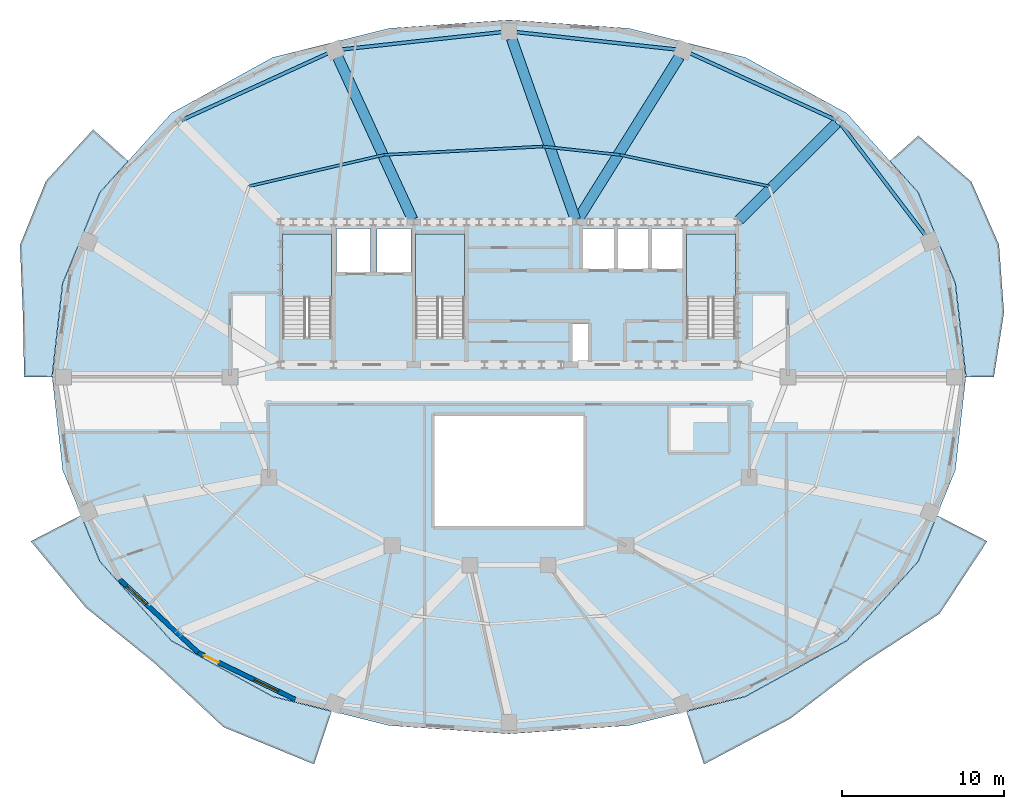
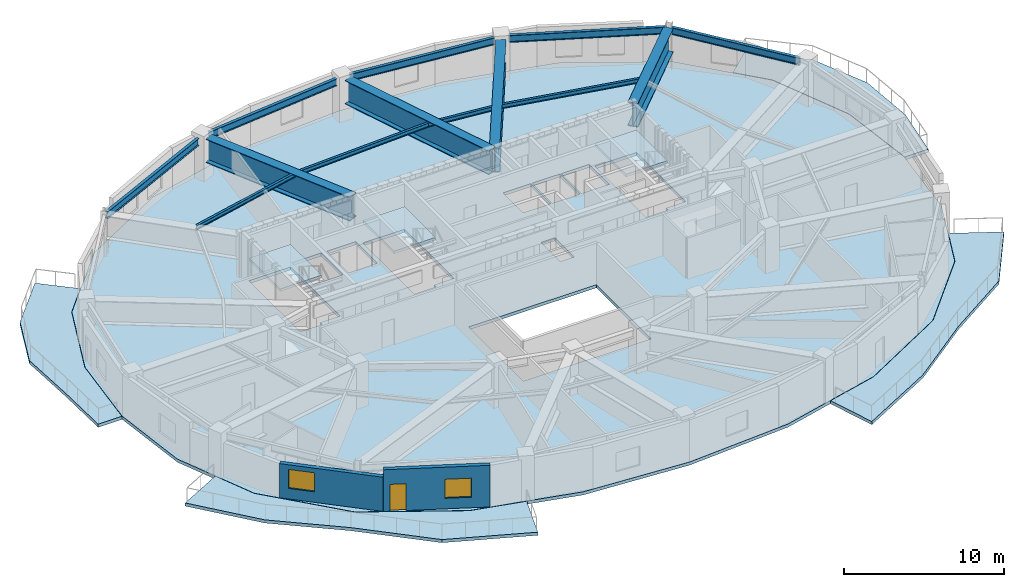
# One storey, part 3 of 12: 13 beams, 8 slabs, 2 walls, 2 windows, 1 door, 3 openings, 3 elements without a shape of their own.
"""IFC4 building model written with IfcOpenShell, lengths in metres."""

from ifc_helpers import new_model, si_unit, direction, frame, frame_2d, origin, origin_2d, place, context, subcontext, project, spatial, polyline, rectangle, i_section, outline, extrude, material, layer, layer_set, material_profile, profile_set, type_object, element, fill, aggregate, save


model = new_model("IFC4")

# Units and contexts
model_context = context("Model", 3, precision=1e-05, world=origin(), true_north=direction((0.0, 1.0)))
body_context = subcontext(model_context, "Body", "Model", "MODEL_VIEW")
ifc_project = project(units=[si_unit("LENGTHUNIT", "METRE"), si_unit("AREAUNIT", "SQUARE_METRE"), si_unit("VOLUMEUNIT", "CUBIC_METRE"), si_unit("PLANEANGLEUNIT", "RADIAN"), si_unit("MASSUNIT", "GRAM", prefix="KILO")], contexts=[model_context])

# Site, building, storey
site_placement = place(None, origin())
site = spatial("IfcSite", under=ifc_project, at=site_placement, CompositionType="ELEMENT")
building_placement = place(site_placement, origin())
building = spatial("IfcBuilding", under=site, at=building_placement, Name="Haldorwick Loom Tower", CompositionType="ELEMENT")
storey_placement = place(building_placement, frame((0.0, 0.0, 237.449951171875)))
storey = spatial("IfcBuildingStorey", under=building, at=storey_placement, Name="L64", CompositionType="ELEMENT", Elevation=237.449951171875)

# Beams
ifc_material_1 = material(Name="Steel CSA G40.21 350W", Category="steel")
ifc_material_profile_1 = material_profile(ifc_material_1, i_section(OverallWidth=0.166015625, OverallDepth=0.31298828125, WebThickness=0.006591796875, FlangeThickness=0.01123046875, at=origin_2d()), Name="W310X45", Category="steel")
ifc_profile_set_1 = profile_set([ifc_material_profile_1], Name="Steel CSA G40.21 350W")
beam_type_1 = type_object("IfcBeamType", Name="STR-BM-J310", PredefinedType="JOIST", material=ifc_profile_set_1)
beam_1_placement = place(storey_placement, frame((52.03759765625, 37.754150390625, 3.013427734375), z_axis=(-0.978553918403, 0.205990846344, 0.0), x_axis=(-0.205990846344, -0.978553918403, 0.0)))
element("IfcBeam", 1, at=beam_1_placement, inside=storey, type_object=beam_type_1, Name="L64 Mid-Bay Secondary Joist 3", PredefinedType="JOIST", context=body_context, shape_type="SweptSolid", body=[
    extrude(i_section(OverallWidth=0.166015625, OverallDepth=0.31298828125, WebThickness=0.006591796875, FlangeThickness=0.01123046875, at=origin_2d()), origin(), (0.0, 0.0, 1.0), 9.39990234375),
])
beam_2_placement = place(storey_placement, frame((42.83935546875, 39.6904296875, 3.013427734375), z_axis=(-0.994216460534, 0.10739473732, 0.0), x_axis=(-0.10739473732, -0.994216460534, 0.0)))
element("IfcBeam", 2, at=beam_2_placement, inside=storey, type_object=beam_type_1, Name="L64 Mid-Bay Secondary Joist 4", PredefinedType="JOIST", context=body_context, shape_type="SweptSolid", body=[
    extrude(i_section(OverallWidth=0.166015625, OverallDepth=0.31298828125, WebThickness=0.006591796875, FlangeThickness=0.01123046875, at=origin_2d()), origin(), (0.0, 0.0, 1.0), 4.792236328125),
])
beam_3_placement = place(storey_placement, frame((38.074951171875, 40.205078125, 3.013427734375), z_axis=(-0.998616726661, -0.052579779693, 0.0), x_axis=(0.052579779693, -0.998616726661, 0.0)))
element("IfcBeam", 3, at=beam_3_placement, inside=storey, type_object=beam_type_1, Name="L64 Mid-Bay Secondary Joist 5", PredefinedType="JOIST", context=body_context, shape_type="SweptSolid", body=[
    extrude(i_section(OverallWidth=0.166015625, OverallDepth=0.31298828125, WebThickness=0.006591796875, FlangeThickness=0.01123046875, at=origin_2d()), origin(), (0.0, 0.0, 1.0), 9.787841796875),
])
beam_4_placement = place(storey_placement, frame((28.300537109375, 39.6904296875, 3.013427734375), z_axis=(-0.974080706337, -0.226200746112, 0.0), x_axis=(0.226200746112, -0.974080706337, 0.0)))
element("IfcBeam", 4, at=beam_4_placement, inside=storey, type_object=beam_type_1, Name="L64 Mid-Bay Secondary Joist 6", PredefinedType="JOIST", context=body_context, shape_type="SweptSolid", body=[
    extrude(i_section(OverallWidth=0.166015625, OverallDepth=0.31298828125, WebThickness=0.006591796875, FlangeThickness=0.01123046875, at=origin_2d()), origin(), (0.0, 0.0, 1.0), 8.56005859375),
])
ifc_material_profile_2 = material_profile(ifc_material_1, i_section(OverallWidth=0.2119140625, OverallDepth=0.5439453125, WebThickness=0.01318359375, FlangeThickness=0.021240234375, at=origin_2d()), Name="W530X123", Category="steel")
ifc_profile_set_2 = profile_set([ifc_material_profile_2], Name="Steel CSA G40.21 350W")
beam_type_2 = type_object("IfcBeamType", Name="STR-BM-SP530", PredefinedType="SPANDREL", material=ifc_profile_set_2)
beam_5_placement = place(storey_placement, frame((61.673583984375, 34.720703125, 2.89794921875), z_axis=(-0.605253156055, 0.796033050247, 0.0), x_axis=(-0.796033050247, -0.605253156055, 0.0)))
element("IfcBeam", 5, at=beam_5_placement, inside=storey, type_object=beam_type_2, Name="L64 Perimeter Spandrel 2", PredefinedType="SPANDREL", context=body_context, shape_type="SweptSolid", body=[
    extrude(i_section(OverallWidth=0.2119140625, OverallDepth=0.5439453125, WebThickness=0.01318359375, FlangeThickness=0.021240234375, at=origin_2d()), origin(), (0.0, 0.0, 1.0), 8.671142578125),
])
beam_6_placement = place(storey_placement, frame((56.15576171875, 41.839111328125, 2.89794921875), z_axis=(-0.909350907904, 0.41602995841, 0.0), x_axis=(-0.41602995841, -0.909350907904, 0.0)))
element("IfcBeam", 6, at=beam_6_placement, inside=storey, type_object=beam_type_2, Name="L64 Perimeter Spandrel 3", PredefinedType="SPANDREL", context=body_context, shape_type="SweptSolid", body=[
    extrude(i_section(OverallWidth=0.2119140625, OverallDepth=0.5439453125, WebThickness=0.01318359375, FlangeThickness=0.021240234375, at=origin_2d()), origin(), (0.0, 0.0, 1.0), 9.86474609375),
])
for number, where, z_axis, x_axis, name in (
    (7, (46.28125, 46.191650390625, 2.89794921875), (-0.994187378218, 0.107663628917, 0.0), (-0.107663628917, -0.994187378218, 0.0), "L64 Perimeter Spandrel 4"),
    (8, (35.52783203125, 47.25390625, 2.89794921875), (-0.994187378218, -0.107663628917, 0.0), (0.107663628917, -0.994187378218, 0.0), "L64 Perimeter Spandrel 5"),
):
    element("IfcBeam", number, at=place(storey_placement, frame(where, z_axis=z_axis, x_axis=x_axis)), inside=storey, type_object=beam_type_2, Name=name, PredefinedType="SPANDREL", context=body_context, shape_type="SweptSolid", body=[
        extrude(i_section(OverallWidth=0.2119140625, OverallDepth=0.5439453125, WebThickness=0.01318359375, FlangeThickness=0.021240234375, at=origin_2d()), origin(), (0.0, 0.0, 1.0), 9.866455078125),
    ])
beam_7_placement = place(storey_placement, frame((24.814697265625, 45.943115234375, 2.89794921875), z_axis=(-0.909350907904, -0.41602995841, 0.0), x_axis=(0.41602995841, -0.909350907904, 0.0)))
element("IfcBeam", 9, at=beam_7_placement, inside=storey, type_object=beam_type_2, Name="L64 Perimeter Spandrel 6", PredefinedType="SPANDREL", context=body_context, shape_type="SweptSolid", body=[
    extrude(i_section(OverallWidth=0.2119140625, OverallDepth=0.5439453125, WebThickness=0.01318359375, FlangeThickness=0.021240234375, at=origin_2d()), origin(), (0.0, 0.0, 1.0), 9.86474609375),
])
ifc_material_2 = material(Name="Steel CSA G40.21 350WT", Category="steel")
ifc_material_profile_3 = material_profile(ifc_material_2, i_section(OverallWidth=0.64990234375, OverallDepth=1.800048828125, WebThickness=0.02587890625, FlangeThickness=0.048095703125, at=origin_2d()), Name="WWF1800X650", Category="steel")
ifc_profile_set_3 = profile_set([ifc_material_profile_3], Name="Steel CSA G40.21 350WT")
beam_type_3 = type_object("IfcBeamType", Name="STR-BM-TG1800", PredefinedType="BEAM", material=ifc_profile_set_3)
beam_8_placement = place(storey_placement, frame((50.1962890625, 35.675537109375, 2.27001953125), z_axis=(0.708952100153, 0.70525663392, 0.0), x_axis=(-0.70525663392, 0.708952100153, 0.0)))
element("IfcBeam", 10, at=beam_8_placement, inside=storey, type_object=beam_type_3, Name="L64 Setback Inner Transfer Girder 3", PredefinedType="BEAM", context=body_context, shape_type="SweptSolid", body=[
    extrude(i_section(OverallWidth=0.64990234375, OverallDepth=1.800048828125, WebThickness=0.02587890625, FlangeThickness=0.048095703125, at=origin_2d()), origin(), (0.0, 0.0, 1.0), 8.456298828125),
])
beam_9_placement = place(storey_placement, frame((40.244140625, 35.700927734375, 2.27001953125), z_axis=(0.529096919652, 0.848561400027, 0.0), x_axis=(-0.848561400027, 0.529096919652, 0.0)))
element("IfcBeam", 11, at=beam_9_placement, inside=storey, type_object=beam_type_3, Name="L64 Setback Inner Transfer Girder 4", PredefinedType="BEAM", context=body_context, shape_type="SweptSolid", body=[
    extrude(i_section(OverallWidth=0.64990234375, OverallDepth=1.800048828125, WebThickness=0.02587890625, FlangeThickness=0.048095703125, at=origin_2d()), origin(), (0.0, 0.0, 1.0), 11.827880859375),
])
beam_10_placement = place(storey_placement, frame((40.0908203125, 35.7177734375, 2.27001953125), z_axis=(-0.332900112782, 0.942962096221, 0.0), x_axis=(-0.942962096221, -0.332900112782, 0.0)))
element("IfcBeam", 12, at=beam_10_placement, inside=storey, type_object=beam_type_3, Name="L64 Setback Inner Transfer Girder 5", PredefinedType="BEAM", context=body_context, shape_type="SweptSolid", body=[
    extrude(i_section(OverallWidth=0.64990234375, OverallDepth=1.800048828125, WebThickness=0.02587890625, FlangeThickness=0.048095703125, at=origin_2d()), origin(), (0.0, 0.0, 1.0), 11.813232421875),
])
beam_11_placement = place(storey_placement, frame((30.055419921875, 35.711669921875, 2.27001953125), z_axis=(-0.418729078283, 0.908111204094, 0.0), x_axis=(-0.908111204094, -0.418729078283, 0.0)))
element("IfcBeam", 13, at=beam_11_placement, inside=storey, type_object=beam_type_3, Name="L64 Setback Inner Transfer Girder 6", PredefinedType="BEAM", context=body_context, shape_type="SweptSolid", body=[
    extrude(i_section(OverallWidth=0.64990234375, OverallDepth=1.800048828125, WebThickness=0.02587890625, FlangeThickness=0.048095703125, at=origin_2d()), origin(), (0.0, 0.0, 1.0), 11.00927734375),
])

# Slabs
ifc_material_3 = material(Name="Concrete C40 (40 MPa)", Category="concrete")
ifc_layer_1 = layer(ifc_material_3, 0.239990234375, Name="Concrete C40 (40 MPa)", Category="concrete")
ifc_layer_set_1 = layer_set([ifc_layer_1], Name="Concrete C40 (40 MPa)")
slab_type_1 = type_object("IfcSlabType", Name="STR-SLB-BAL240", PredefinedType="FLOOR", material=ifc_layer_set_1)
slab_1_placement = place(storey_placement, frame((0.0, 0.0, -0.239990234375)))
element("IfcSlab", 14, at=slab_1_placement, inside=storey, type_object=slab_type_1, Name="L64 Sinusoidal Balcony Terrace BAL_SE", PredefinedType="FLOOR", context=body_context, shape_type="SweptSolid", body=[
    extrude(outline(polyline([(62.391845703125, 17.46142578125), (61.229736328125, 14.62060546875), (61.229248046875, 14.619384765625), (61.228515625, 14.6181640625), (61.227783203125, 14.6171875), (61.22705078125, 14.6162109375), (56.82373046875, 9.72998046875), (56.82275390625, 9.72900390625), (56.8212890625, 9.727783203125), (56.81982421875, 9.72705078125), (50.565673828125, 6.287109375), (50.564453125, 6.286376953125), (50.563232421875, 6.285888671875), (50.56201171875, 6.285400390625), (46.934326171875, 5.379638671875), (48.02197265625, 2.12060546875), (53.33056640625, 4.9296875), (57.87548828125, 8.379638671875), (62.54052734375, 11.405029296875), (65.47900390625, 15.8671875), (62.391845703125, 17.46142578125)])), origin(), (0.0, 0.0, 1.0), 0.239990234375),
])
slab_2_placement = place(storey_placement, frame((0.0, 0.0, -0.239990234375)))
element("IfcSlab", 15, at=slab_2_placement, inside=storey, type_object=slab_type_1, Name="L64 Sinusoidal Balcony Terrace BAL_SW", PredefinedType="FLOOR", context=body_context, shape_type="SweptSolid", body=[
    extrude(outline(polyline([(25.065673828125, 5.379638671875), (21.43798828125, 6.285400390625), (21.436767578125, 6.285888671875), (21.435546875, 6.286376953125), (21.434326171875, 6.287109375), (15.18017578125, 9.72705078125), (15.1787109375, 9.727783203125), (15.17724609375, 9.72900390625), (15.17626953125, 9.72998046875), (10.77294921875, 14.6162109375), (10.772216796875, 14.6171875), (10.771484375, 14.6181640625), (10.770751953125, 14.619384765625), (10.770263671875, 14.62060546875), (9.608154296875, 17.46142578125), (6.52099609375, 15.8671875), (9.905517578125, 11.78662109375), (14.12451171875, 8.379638671875), (18.397705078125, 4.4091796875), (23.97802734375, 2.12060546875), (25.065673828125, 5.379638671875)])), origin(), (0.0, 0.0, 1.0), 0.239990234375),
])
slab_3_placement = place(storey_placement, frame((0.0, 0.0, -0.239990234375)))
element("IfcSlab", 16, at=slab_3_placement, inside=storey, type_object=slab_type_1, Name="L64 Sinusoidal Balcony Terrace BAL_WNW", PredefinedType="FLOOR", context=body_context, shape_type="SweptSolid", body=[
    extrude(outline(polyline([(7.818603515625, 26.0), (7.818603515625, 26.001708984375), (8.472412109375, 31.760986328125), (8.47265625, 31.762451171875), (8.472900390625, 31.763916015625), (8.473388671875, 31.76513671875), (10.770263671875, 37.37939453125), (10.770751953125, 37.380615234375), (10.771484375, 37.3818359375), (10.772216796875, 37.3828125), (10.77294921875, 37.3837890625), (12.512939453125, 39.314697265625), (10.359619140625, 41.251708984375), (7.4423828125, 38.0595703125), (5.851806640625, 34.1298828125), (6.030517578125, 29.86865234375), (6.107177734375, 26.0), (7.818603515625, 26.0)])), origin(), (0.0, 0.0, 1.0), 0.239990234375),
])
slab_4_placement = place(storey_placement, frame((0.0, 0.0, -0.239990234375)))
element("IfcSlab", 17, at=slab_4_placement, inside=storey, type_object=slab_type_1, Name="L64 Sinusoidal Balcony Terrace BAL_ENE", PredefinedType="FLOOR", context=body_context, shape_type="SweptSolid", body=[
    extrude(outline(polyline([(59.4873046875, 39.314208984375), (61.22705078125, 37.3837890625), (61.227783203125, 37.3828125), (61.228515625, 37.3818359375), (61.229248046875, 37.380615234375), (61.229736328125, 37.37939453125), (63.526611328125, 31.76513671875), (63.527099609375, 31.763916015625), (63.52734375, 31.762451171875), (63.527587890625, 31.760986328125), (64.181396484375, 26.001708984375), (64.181396484375, 26.0), (65.892822265625, 26.0), (66.5166015625, 29.979736328125), (66.205078125, 34.153564453125), (64.506103515625, 38.02587890625), (61.2314453125, 40.871337890625), (59.4873046875, 39.314208984375)])), origin(), (0.0, 0.0, 1.0), 0.239990234375),
])

# Stair, slab
stair_type = type_object("IfcStairType", Name="STR-STR-CORE", PredefinedType="HALF_TURN_STAIR", material=ifc_material_3)
stair_1_placement = place(storey_placement, origin())
stair_1 = element("IfcStair", 18, at=stair_1_placement, inside=storey, type_object=stair_type, Name="L64 Exit Stair ST-01", PredefinedType="HALF_TURN_STAIR")
ifc_layer_2 = layer(ifc_material_3, 0.199951171875, Name="Concrete C40 (40 MPa)", Category="concrete")
ifc_layer_set_2 = layer_set([ifc_layer_2], Name="Concrete C40 (40 MPa)")
slab_type_2 = type_object("IfcSlabType", Name="STR-SLB-LAND200", PredefinedType="LANDING", material=ifc_layer_set_2)
slab_5_placement = place(storey_placement, frame((0.0, 0.0, 1.525146484375)))
slab_5 = element("IfcSlab", 19, at=slab_5_placement, type_object=slab_type_2, Name="ST-01 landing 1", PredefinedType="LANDING", context=body_context, shape_type="SweptSolid", body=[
    extrude(outline(polyline([(25.050048828125, 30.919921875), (25.050048828125, 34.800048828125), (22.050048828125, 34.800048828125), (22.050048828125, 30.919921875), (25.050048828125, 30.919921875)])), origin(), (0.0, 0.0, 1.0), 0.199951171875),
])
aggregate(stair_1, [slab_5])

stair_2_placement = place(storey_placement, origin())
stair_2 = element("IfcStair", 20, at=stair_2_placement, inside=storey, type_object=stair_type, Name="L64 Exit Stair ST-02", PredefinedType="HALF_TURN_STAIR")
slab_6_placement = place(storey_placement, frame((0.0, 0.0, 1.525146484375)))
slab_6 = element("IfcSlab", 21, at=slab_6_placement, type_object=slab_type_2, Name="ST-02 landing 1", PredefinedType="LANDING", context=body_context, shape_type="SweptSolid", body=[
    extrude(outline(polyline([(49.949951171875, 30.919921875), (49.949951171875, 34.800048828125), (46.949951171875, 34.800048828125), (46.949951171875, 30.919921875), (49.949951171875, 30.919921875)])), origin(), (0.0, 0.0, 1.0), 0.199951171875),
])
aggregate(stair_2, [slab_6])

stair_3_placement = place(storey_placement, origin())
stair_3 = element("IfcStair", 22, at=stair_3_placement, inside=storey, type_object=stair_type, Name="L64 Exit Stair ST-03", PredefinedType="HALF_TURN_STAIR")
slab_7_placement = place(storey_placement, frame((0.0, 0.0, 1.525146484375)))
slab_7 = element("IfcSlab", 23, at=slab_7_placement, type_object=slab_type_2, Name="ST-03 landing 1", PredefinedType="LANDING", context=body_context, shape_type="SweptSolid", body=[
    extrude(outline(polyline([(33.25, 30.919921875), (33.25, 34.800048828125), (30.25, 34.800048828125), (30.25, 30.919921875), (33.25, 30.919921875)])), origin(), (0.0, 0.0, 1.0), 0.199951171875),
])
aggregate(stair_3, [slab_7])

# Slab
ifc_layer_3 = layer(ifc_material_3, 0.239990234375, Name="Concrete C40 (40 MPa)", Category="concrete")
ifc_layer_set_3 = layer_set([ifc_layer_3], Name="Concrete C40 (40 MPa)")
slab_type_3 = type_object("IfcSlabType", Name="STR-SLB-RES240", PredefinedType="FLOOR", material=ifc_layer_set_3)
slab_8_placement = place(storey_placement, frame((0.0, 0.0, -0.239990234375)))
element("IfcSlab", 24, at=slab_8_placement, inside=storey, type_object=slab_type_3, Name="L64 Residential Structural Floor Slab", PredefinedType="FLOOR", context=body_context, shape_type="SweptSolid", body=[
    extrude(outline(polyline([(56.812744140625, 9.739990234375), (61.2158203125, 14.626220703125), (63.5126953125, 20.240478515625), (64.16650390625, 26.0), (63.5126953125, 31.759521484375), (61.2158203125, 37.373779296875), (56.812744140625, 42.260009765625), (50.558349609375, 45.699951171875), (43.3720703125, 47.494384765625), (36.0, 48.0048828125), (28.6279296875, 47.494384765625), (21.441650390625, 45.699951171875), (15.187255859375, 42.260009765625), (10.7841796875, 37.373779296875), (8.4873046875, 31.759521484375), (7.83349609375, 26.0), (8.4873046875, 20.240478515625), (10.7841796875, 14.626220703125), (15.187255859375, 9.739990234375), (21.441650390625, 6.300048828125), (28.6279296875, 4.505615234375), (36.0, 3.9951171875), (43.3720703125, 4.505615234375), (50.558349609375, 6.300048828125), (56.812744140625, 9.739990234375)]), holes=[polyline([(31.39990234375, 16.800048828125), (31.39990234375, 23.60009765625), (40.60009765625, 23.60009765625), (40.60009765625, 16.800048828125), (31.39990234375, 16.800048828125)]), polyline([(40.89990234375, 26.89990234375), (39.89990234375, 26.89990234375), (39.89990234375, 29.300048828125), (40.89990234375, 29.300048828125), (40.89990234375, 26.89990234375)]), polyline([(23.6201171875, 28.39990234375), (22.050048828125, 28.39990234375), (22.050048828125, 34.800048828125), (25.050048828125, 34.800048828125), (25.050048828125, 28.639892578125), (23.6201171875, 28.639892578125), (23.6201171875, 28.39990234375)]), polyline([(30.25, 28.39990234375), (30.25, 34.800048828125), (33.25, 34.800048828125), (33.25, 28.639892578125), (31.820068359375, 28.639892578125), (31.820068359375, 28.39990234375), (30.25, 28.39990234375)]), polyline([(46.949951171875, 28.39990234375), (46.949951171875, 34.800048828125), (49.949951171875, 34.800048828125), (49.949951171875, 28.639892578125), (48.52001953125, 28.639892578125), (48.52001953125, 28.39990234375), (46.949951171875, 28.39990234375)]), polyline([(27.449951171875, 32.449951171875), (25.35009765625, 32.449951171875), (25.35009765625, 35.14990234375), (27.449951171875, 35.14990234375), (27.449951171875, 32.449951171875)]), polyline([(29.949951171875, 32.449951171875), (27.85009765625, 32.449951171875), (27.85009765625, 35.14990234375), (29.949951171875, 35.14990234375), (29.949951171875, 32.449951171875)]), polyline([(42.550048828125, 32.64990234375), (40.550048828125, 32.64990234375), (40.550048828125, 35.14990234375), (42.550048828125, 35.14990234375), (42.550048828125, 32.64990234375)]), polyline([(42.64990234375, 32.64990234375), (42.64990234375, 35.14990234375), (44.64990234375, 35.14990234375), (44.64990234375, 32.64990234375), (42.64990234375, 32.64990234375)]), polyline([(44.75, 32.64990234375), (44.75, 35.14990234375), (46.75, 35.14990234375), (46.75, 32.64990234375), (44.75, 32.64990234375)])]), origin(), (0.0, 0.0, 1.0), 0.239990234375),
])

# Wall, opening, window
ifc_material_4 = material(Name="Pressed Clay Face Brick and Insulated Masonry Backup Assembly", Category="masonry")
ifc_layer_4 = layer(ifc_material_4, 0.280029296875, Name="Pressed Clay Face Brick and Insulated Masonry Backup Assembly", Category="masonry")
ifc_layer_set_4 = layer_set([ifc_layer_4], Name="Pressed Clay Face Brick and Insulated Masonry Backup Assembly")
wall_type = type_object("IfcWallType", Name="ARC-WL-EXT280", PredefinedType="STANDARD", material=ifc_layer_set_4)
wall_1_placement = place(storey_placement, frame((11.994384765625, 13.5146484375, 0.0), z_axis=(0.0, 0.0, 1.0), x_axis=(0.731833707499, -0.681483253329, 0.0)))
wall_1 = element("IfcWall", 25, at=wall_1_placement, inside=storey, type_object=wall_type, Name="L64 Brick Pier and Spandrel Wall 15", PredefinedType="STANDARD", context=body_context, shape_type="SweptSolid", body=[
    extrude(rectangle(XDim=6.61865234375, YDim=0.280029296875, at=frame_2d((3.309326171875, 0.0))), origin(), (0.0, 0.0, 1.0), 2.60107421875),
])
opening_1_placement = place(wall_1_placement, frame((0.58154296875, 0.0, 0.800048828125)))
opening_1 = element("IfcOpeningElement", 26, at=opening_1_placement, cuts=wall_1, Name="Opening W-01B", PredefinedType="OPENING", context=body_context, shape_type="SweptSolid", body=[
    extrude(rectangle(XDim=1.64990234375, YDim=1.449951171875, at=frame_2d((0.824951171875, 0.72509765625))), frame((0.0, 0.14990234375, 0.0), z_axis=(0.0, -1.0, 0.0), x_axis=(1.0, 0.0, 0.0)), (0.0, 0.0, 1.0), 0.300048828125),
])
ifc_material_5 = material(Name="Triple-Glazed Low-E Argon Insulated Glazing Unit", Category="glass")
window_type = type_object("IfcWindowType", Name="ARC-WIN-W165", PartitioningType="SINGLE_PANEL", PredefinedType="WINDOW", material=ifc_material_5)
window_1_placement = place(opening_1_placement, origin())
window_1 = element("IfcWindow", 27, at=window_1_placement, inside=storey, type_object=window_type, Name="L64 Deep-Set Zone 7A Window 15", OverallHeight=1.449951171875, OverallWidth=1.64990234375, PartitioningType="SINGLE_PANEL", PredefinedType="WINDOW", context=body_context, shape_type="SweptSolid", body=[
    extrude(rectangle(XDim=1.64990234375, YDim=1.449951171875, at=frame_2d((0.824951171875, 0.72509765625))), frame((0.0, 0.030029296875, 0.0), z_axis=(0.0, -1.0, 0.0), x_axis=(1.0, 0.0, 0.0)), (0.0, 0.0, 1.0), 0.06005859375),
])
fill(opening_1, window_1)

# Wall, openings, door, window
wall_2_placement = place(storey_placement, frame((16.838134765625, 9.004150390625, 0.0), z_axis=(0.0, 0.0, 1.0), x_axis=(0.900371236029, -0.435122554381, 0.0)))
wall_2 = element("IfcWall", 28, at=wall_2_placement, inside=storey, type_object=wall_type, Name="L64 Brick Pier and Spandrel Wall 16", PredefinedType="STANDARD", context=body_context, shape_type="SweptSolid", body=[
    extrude(rectangle(XDim=6.6533203125, YDim=0.280029296875, at=frame_2d((3.32666015625, 0.0))), origin(), (0.0, 0.0, 1.0), 3.170166015625),
])
opening_2_placement = place(wall_2_placement, frame((0.39990234375, 0.0, 0.0)))
opening_2 = element("IfcOpeningElement", 29, at=opening_2_placement, cuts=wall_2, Name="Opening D-BL10", PredefinedType="OPENING", context=body_context, shape_type="SweptSolid", body=[
    extrude(rectangle(XDim=1.0, YDim=2.0400390625, at=frame_2d((0.5, 1.02001953125))), frame((0.0, 0.14990234375, 0.0), z_axis=(0.0, -1.0, 0.0), x_axis=(1.0, 0.0, 0.0)), (0.0, 0.0, 1.0), 0.300048828125),
])
opening_3_placement = place(wall_2_placement, frame((3.832275390625, 0.0, 0.800048828125)))
opening_3 = element("IfcOpeningElement", 30, at=opening_3_placement, cuts=wall_2, Name="Opening W-01B", PredefinedType="OPENING", context=body_context, shape_type="SweptSolid", body=[
    extrude(rectangle(XDim=1.64990234375, YDim=1.449951171875, at=frame_2d((0.824951171875, 0.72509765625))), frame((0.0, 0.14990234375, 0.0), z_axis=(0.0, -1.0, 0.0), x_axis=(1.0, 0.0, 0.0)), (0.0, 0.0, 1.0), 0.300048828125),
])
ifc_material_6 = material(Name="Thermally Broken Anodized Aluminium Curtain Wall Framing", Category="aluminium")
door_type = type_object("IfcDoorType", Name="ARC-DR-BAL100", OperationType="NOTDEFINED", PredefinedType="DOOR", material=ifc_material_6)
door_placement = place(opening_2_placement, origin())
door = element("IfcDoor", 31, at=door_placement, inside=storey, type_object=door_type, Name="L64 Outdoor Terrace Door SLB-L64-BAL_SW", OperationType="SINGLE_SWING_RIGHT", OverallHeight=2.0400390625, OverallWidth=1.0, PredefinedType="DOOR", context=body_context, shape_type="SweptSolid", body=[
    extrude(rectangle(XDim=1.0, YDim=2.0400390625, at=frame_2d((0.5, 1.02001953125))), frame((0.0, 0.02490234375, 0.0), z_axis=(0.0, -1.0, 0.0), x_axis=(1.0, 0.0, 0.0)), (0.0, 0.0, 1.0), 0.050048828125),
])
fill(opening_2, door)
window_2_placement = place(opening_3_placement, origin())
window_2 = element("IfcWindow", 32, at=window_2_placement, inside=storey, type_object=window_type, Name="L64 Deep-Set Zone 7A Window 16", OverallHeight=1.449951171875, OverallWidth=1.64990234375, PartitioningType="SINGLE_PANEL", PredefinedType="WINDOW", context=body_context, shape_type="SweptSolid", body=[
    extrude(rectangle(XDim=1.64990234375, YDim=1.449951171875, at=frame_2d((0.824951171875, 0.72509765625))), frame((0.0, 0.030029296875, 0.0), z_axis=(0.0, -1.0, 0.0), x_axis=(1.0, 0.0, 0.0)), (0.0, 0.0, 1.0), 0.06005859375),
])
fill(opening_3, window_2)

save(model, "model.ifc")
